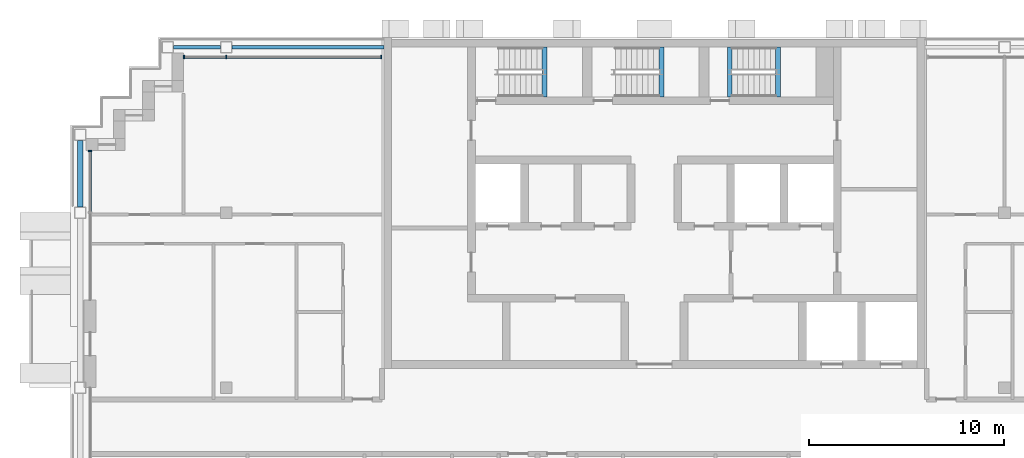
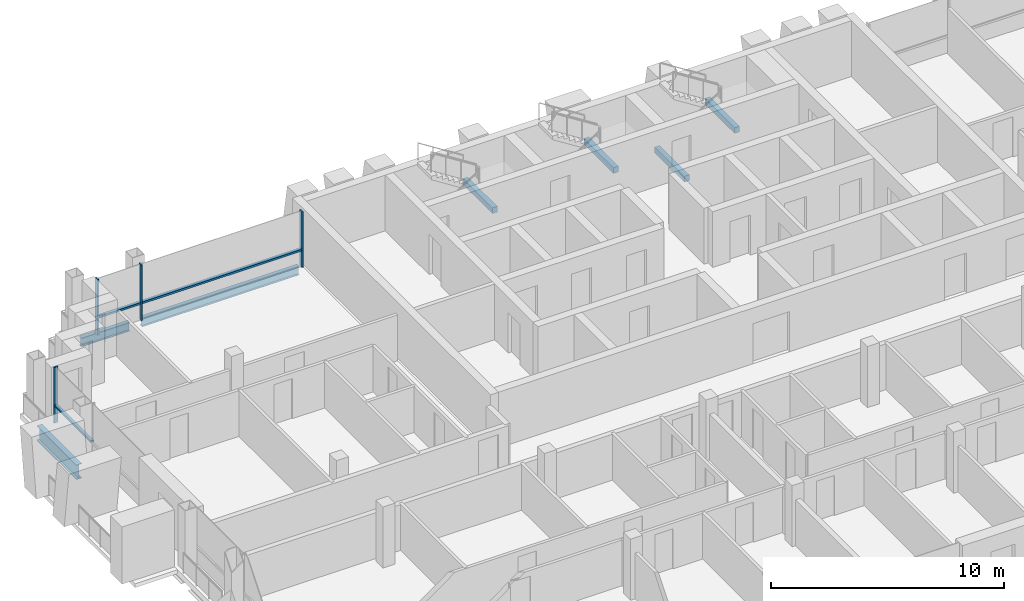
# One storey, part 4 of 16: 7 beams, 7 members, 2 elements without a shape of their own.
"""IFC4 building model written with IfcOpenShell, lengths in metres."""

import ifcopenshell
import ifcopenshell.guid

model = None  # the IFC model being written
_history = None  # IfcOwnerHistory: only IFC2X3 demands one
_inside = {}  # id of a spatial element -> (the spatial element, [elements in it])
_under = {}  # id of a project, library or spatial element -> (it, [spatial elements below it])
_declared = {}  # id of a project -> (the project, [libraries it declares])
_typed = {}  # id of a type object -> (the type object, [elements of that type])
_made_of = {}  # id of a material, layer set ... -> (it, [elements and type objects made of it])


def new_model(schema):
    """Start an empty IFC model of exactly this schema.

    Asked for "IFC4X3", IfcOpenShell would pick the latest addendum, in which some entities
    have other attributes; the version numbers below select the first issue.
    IFC2X3 requires an IfcOwnerHistory on every rooted entity: one is made here for all.
    """
    global model, _history
    if schema == "IFC4X3":
        model = ifcopenshell.file(schema_version=(4, 3, 0, 0))
    else:
        model = ifcopenshell.file(schema=schema)
    _inside.clear()
    _under.clear()
    _declared.clear()
    _typed.clear()
    _made_of.clear()
    _history = None
    if model.schema == "IFC2X3":
        org = make("IfcOrganization", Name="unknown")
        user = make(
            "IfcPersonAndOrganization",
            ThePerson=make("IfcPerson", FamilyName="unknown"),
            TheOrganization=org,
        )
        app = make(
            "IfcApplication",
            ApplicationDeveloper=org,
            Version="unknown",
            ApplicationFullName="unknown",
            ApplicationIdentifier="unknown",
        )
        _history = make(
            "IfcOwnerHistory",
            OwningUser=user,
            OwningApplication=app,
            ChangeAction="ADDED",
            CreationDate=0,
        )
    return model


def make(cls, **values):
    """One entity of the class cls with the attributes given. An attribute that is None is left unset."""
    return model.create_entity(
        cls, **{name: value for name, value in values.items() if value is not None}
    )


def rooted(cls, **values):
    """An entity with a GlobalId (a new one), such as an element, a storey or a relation."""
    return make(cls, GlobalId=ifcopenshell.guid.new(), OwnerHistory=_history, **values)


def si_unit(unit_type, name, prefix=None):
    """IfcSIUnit, for example si_unit("LENGTHUNIT", "METRE", prefix="MILLI")."""
    return make("IfcSIUnit", UnitType=unit_type, Prefix=prefix, Name=name)


def assignment(units):
    """IfcUnitAssignment: the units of a project."""
    return None if units is None else make("IfcUnitAssignment", Units=units)


def point(xyz):
    """IfcCartesianPoint."""
    return None if xyz is None else make("IfcCartesianPoint", Coordinates=xyz)


def direction(xyz):
    """IfcDirection."""
    return None if xyz is None else make("IfcDirection", DirectionRatios=xyz)


def frame(location, z_axis=None, x_axis=None):
    """IfcAxis2Placement3D, a coordinate frame: its origin and axes. An axis left out is left unset."""
    return make(
        "IfcAxis2Placement3D",
        Location=point(location),
        Axis=direction(z_axis),
        RefDirection=direction(x_axis),
    )


def frame_2d(location, x_axis=None):
    """IfcAxis2Placement2D, a coordinate frame in the plane: its origin and x axis."""
    return make(
        "IfcAxis2Placement2D", Location=point(location), RefDirection=direction(x_axis)
    )


def origin():
    """The frame at (0, 0, 0) with its axes left unset."""
    return frame((0.0, 0.0, 0.0))


def origin_2d():
    """The frame at (0, 0) in the plane with its x axis left unset."""
    return frame_2d((0.0, 0.0))


def place(relative_to, where):
    """IfcLocalPlacement: puts the frame where relative to a parent placement (None: the world)."""
    return make(
        "IfcLocalPlacement", PlacementRelTo=relative_to, RelativePlacement=where
    )


def context(
    kind, dimensions, precision=None, world=None, true_north=None, identifier=None
):
    """IfcGeometricRepresentationContext, for example the 3D "Model" context."""
    return make(
        "IfcGeometricRepresentationContext",
        ContextIdentifier=identifier,
        ContextType=kind,
        CoordinateSpaceDimension=dimensions,
        Precision=precision,
        WorldCoordinateSystem=world,
        TrueNorth=true_north,
    )


def subcontext(parent, identifier, kind, view, scale=None):
    """IfcGeometricRepresentationSubContext, for example "Body" below "Model"."""
    return make(
        "IfcGeometricRepresentationSubContext",
        ContextIdentifier=identifier,
        ContextType=kind,
        ParentContext=parent,
        TargetScale=scale,
        TargetView=view,
    )


def project(units=None, contexts=None):
    """IfcProject with its units and contexts."""
    return rooted(
        "IfcProject",
        Name="project",
        RepresentationContexts=contexts,
        UnitsInContext=assignment(units),
    )


def spatial(cls, under=None, at=None, **own):
    """A site, building, storey or space (cls), placed at a placement, below another one or the project."""
    s = rooted(cls, ObjectPlacement=at, **own)
    if under is not None:
        _under.setdefault(under.id(), (under, []))[1].append(s)
    return s


def profile(cls, at=None, kind="AREA", **sizes):
    """A parametric profile (cls). Its sizes go by their IFC names, for example OverallWidth=200.0."""
    return make(cls, ProfileType=kind, Position=at, **sizes)


def rectangle(**sizes):
    """IfcRectangleProfileDef."""
    return profile("IfcRectangleProfileDef", **sizes)


def i_section(**sizes):
    """IfcIShapeProfileDef."""
    return profile("IfcIShapeProfileDef", **sizes)


def extrude(swept, where, along, depth):
    """IfcExtrudedAreaSolid: the profile swept, set in the frame where, extruded along a direction by depth."""
    return make(
        "IfcExtrudedAreaSolid",
        SweptArea=swept,
        Position=where,
        ExtrudedDirection=direction(along),
        Depth=depth,
    )


def shape(context_of_items, identifier, shape_type, items):
    """IfcShapeRepresentation: the items that make up one representation, for example the "Body"."""
    return make(
        "IfcShapeRepresentation",
        ContextOfItems=context_of_items,
        RepresentationIdentifier=identifier,
        RepresentationType=shape_type,
        Items=items,
    )


def material(Name=None, Category=None):
    """IfcMaterial."""
    return make("IfcMaterial", Name=Name, Category=Category)


def material_profile(
    of_material, cross_section, Name=None, Category=None, Priority=None
):
    """IfcMaterialProfile: a cross section and its material."""
    return make(
        "IfcMaterialProfile",
        Name=Name,
        Material=of_material,
        Profile=cross_section,
        Priority=Priority,
        Category=Category,
    )


def profile_set(profiles, Name=None, composite=None):
    """IfcMaterialProfileSet."""
    return make(
        "IfcMaterialProfileSet",
        Name=Name,
        MaterialProfiles=profiles,
        CompositeProfile=composite,
    )


def made_of(thing, what):
    """Note that an element or type object is made of a material, layer set ...; save() writes the relation."""
    if what is not None:
        _made_of.setdefault(what.id(), (what, []))[1].append(thing)
    return thing


def type_object(cls, material=None, **own):
    """A type object (cls), such as IfcWallType, which elements share."""
    return made_of(rooted(cls, **own), material)


def element(
    cls,
    number,
    at=None,
    inside=None,
    cuts=None,
    type_object=None,
    material=None,
    context=None,
    identifier="Body",
    shape_type=None,
    held_by="IfcProductDefinitionShape",
    body=None,
    shapes=None,
    **own,
):
    """One element of the class cls, such as IfcWall. Its Tag is "e" and its number.

    at: its placement. inside: the storey or other place that contains it. cuts: it is an
    opening in that element (IfcRelVoidsElement). A single representation is given by context,
    identifier, shape_type and body (its items); several are given by shapes. held_by: the class
    of the entity that holds the representations. save() writes the other relations.
    """
    e = rooted(cls, Tag="e%d" % number, ObjectPlacement=at, **own)
    if body is not None:
        shapes = [shape(context, identifier, shape_type, body)]
    if shapes is not None:
        e.Representation = make(held_by, Representations=shapes)
    if inside is not None:
        _inside.setdefault(inside.id(), (inside, []))[1].append(e)
    if cuts is not None:
        rooted(
            "IfcRelVoidsElement", RelatingBuildingElement=cuts, RelatedOpeningElement=e
        )
    if type_object is not None:
        _typed.setdefault(type_object.id(), (type_object, []))[1].append(e)
    return made_of(e, material)


def aggregate(whole, parts):
    """IfcRelAggregates: a whole, such as a stair, and the parts it consists of."""
    return rooted("IfcRelAggregates", RelatingObject=whole, RelatedObjects=parts)


def save(model, path):
    """Write the relations noted so far, then the file.

    IfcRelAggregates (storeys below a building ...), IfcRelContainedInSpatialStructure (elements
    in a storey), IfcRelDefinesByType, IfcRelAssociatesMaterial and IfcRelDeclares: one each for
    every whole, place, type object, material and project.
    """
    for whole, parts in _under.values():
        aggregate(whole, parts)
    for where, things in _inside.values():
        rooted(
            "IfcRelContainedInSpatialStructure",
            RelatedElements=things,
            RelatingStructure=where,
        )
    for kind, things in _typed.values():
        rooted("IfcRelDefinesByType", RelatedObjects=things, RelatingType=kind)
    for what, things in _made_of.values():
        rooted("IfcRelAssociatesMaterial", RelatedObjects=things, RelatingMaterial=what)
    for by, libraries in _declared.values():
        rooted("IfcRelDeclares", RelatingContext=by, RelatedDefinitions=libraries)
    model.write(path)


model = new_model("IFC4")

# Units and contexts
model_context = context("Model", 3, precision=1e-05, world=origin(), true_north=direction((0.0, 1.0)))
body_context = subcontext(model_context, "Body", "Model", "MODEL_VIEW")
ifc_project = project(units=[si_unit("LENGTHUNIT", "METRE"), si_unit("AREAUNIT", "SQUARE_METRE"), si_unit("VOLUMEUNIT", "CUBIC_METRE"), si_unit("PLANEANGLEUNIT", "RADIAN"), si_unit("MASSUNIT", "GRAM", prefix="KILO")], contexts=[model_context])

# Site, building, storey
site_placement = place(None, origin())
site = spatial("IfcSite", under=ifc_project, at=site_placement, CompositionType="ELEMENT")
building_placement = place(site_placement, origin())
building = spatial("IfcBuilding", under=site, at=building_placement, Name="Vidyagriha Tower", CompositionType="ELEMENT")
storey_placement = place(building_placement, frame((0.0, 0.0, 230.0)))
storey = spatial("IfcBuildingStorey", under=building, at=storey_placement, Name="L60", CompositionType="ELEMENT", Elevation=230.0)

# Beams
ifc_material_1 = material(Name="Steel ASTM A992 Grade 50", Category="steel")
ifc_material_profile_1 = material_profile(ifc_material_1, i_section(OverallWidth=0.2666015625, OverallDepth=0.76953125, WebThickness=0.015625, FlangeThickness=0.025390625, at=origin_2d()), Name="W30X132")
ifc_profile_set_1 = profile_set([ifc_material_profile_1], Name="Steel ASTM A992 Grade 50")
beam_type_1 = type_object("IfcBeamType", Name="Cantilever edge beam W30X132", PredefinedType="SPANDREL", material=ifc_profile_set_1)
beam_1_placement = place(storey_placement, frame((-29.5, 11.300048828125, -0.664794921875), z_axis=(0.0, 1.0, 0.0), x_axis=(-1.0, 0.0, 0.0)))
element("IfcBeam", 1, at=beam_1_placement, inside=storey, type_object=beam_type_1, Name="st-beam-L60-W12", PredefinedType="SPANDREL", context=body_context, shape_type="SweptSolid", body=[
    extrude(i_section(OverallWidth=0.2666015625, OverallDepth=0.76953125, WebThickness=0.015625, FlangeThickness=0.025390625, at=origin_2d()), origin(), (0.0, 0.0, 1.0), 3.39990234375),
])
ifc_material_2 = material(Name="Steel ASTM A992 Grade 50", Category="steel")
ifc_material_profile_2 = material_profile(ifc_material_2, i_section(OverallWidth=0.19189453125, OverallDepth=0.46240234375, WebThickness=0.010498046875, FlangeThickness=0.017578125, at=origin_2d()), Name="W18X60")
ifc_profile_set_2 = profile_set([ifc_material_profile_2], Name="Steel ASTM A992 Grade 50")
beam_type_2 = type_object("IfcBeamType", Name="Edge beam W18X60", PredefinedType="SPANDREL", material=ifc_profile_set_2)
beam_2_placement = place(storey_placement, frame((-24.699951171875, 19.5, -0.51123046875), z_axis=(1.0, 0.0, 0.0), x_axis=(0.0, 1.0, 0.0)))
element("IfcBeam", 2, at=beam_2_placement, inside=storey, type_object=beam_type_2, Name="st-beam-L60-NW18", PredefinedType="SPANDREL", context=body_context, shape_type="SweptSolid", body=[
    extrude(i_section(OverallWidth=0.19189453125, OverallDepth=0.46240234375, WebThickness=0.010498046875, FlangeThickness=0.017578125, at=origin_2d()), origin(), (0.0, 0.0, 1.0), 2.39990234375),
])
beam_3_placement = place(storey_placement, frame((-21.699951171875, 19.5, -0.51123046875), z_axis=(1.0, 0.0, 0.0), x_axis=(0.0, 1.0, 0.0)))
element("IfcBeam", 3, at=beam_3_placement, inside=storey, type_object=beam_type_2, Name="st-beam-L60-NC20", PredefinedType="SPANDREL", context=body_context, shape_type="SweptSolid", body=[
    extrude(i_section(OverallWidth=0.19189453125, OverallDepth=0.46240234375, WebThickness=0.010498046875, FlangeThickness=0.017578125, at=origin_2d()), origin(), (0.0, 0.0, 1.0), 7.800048828125),
])

# Curtain wall, members
ifc_material_3 = material(Name="Aluminium and glass curtain wall", Category="aluminium")
curtain_wall_type = type_object("IfcCurtainWallType", Name="Dwelling skin unitised curtain wall", PredefinedType="USERDEFINED", material=ifc_material_3)
curtain_wall_1_placement = place(storey_placement, origin())
curtain_wall_1 = element("IfcCurtainWall", 4, at=curtain_wall_1_placement, inside=storey, type_object=curtain_wall_type, Name="CW1 dwelling skin", ObjectType="UNITISED", PredefinedType="USERDEFINED")
ifc_material_4 = material(Name="Aluminium black anodised", Category="aluminium")
ifc_material_profile_3 = material_profile(ifc_material_4, rectangle(XDim=0.199951171875, YDim=0.070068359375, at=origin_2d()), Name="Mullion 70x200 black aluminium")
ifc_profile_set_3 = profile_set([ifc_material_profile_3], Name="Aluminium black anodised")
member_type_1 = type_object("IfcMemberType", Name="Mullion 70x200 black aluminium", PredefinedType="MULLION", material=ifc_profile_set_3)
member_1_placement = place(storey_placement, frame((-14.034912109375, 19.0, 0.0), z_axis=(0.0, 0.0, 1.0), x_axis=(0.0, -1.0, 0.0)))
member_1 = element("IfcMember", 5, at=member_1_placement, type_object=member_type_1, Name="CW1 mullion 1", PredefinedType="MULLION", context=body_context, shape_type="SweptSolid", body=[
    extrude(rectangle(XDim=0.199951171875, YDim=0.070068359375, at=origin_2d()), origin(), (0.0, 0.0, 1.0), 2.919921875),
])
member_2_placement = place(storey_placement, frame((-22.0, 19.0, 0.0), z_axis=(0.0, 0.0, 1.0), x_axis=(0.0, -1.0, 0.0)))
member_2 = element("IfcMember", 6, at=member_2_placement, type_object=member_type_1, Name="CW1 mullion 2", PredefinedType="MULLION", context=body_context, shape_type="SweptSolid", body=[
    extrude(rectangle(XDim=0.199951171875, YDim=0.070068359375, at=origin_2d()), origin(), (0.0, 0.0, 1.0), 2.919921875),
])
member_3_placement = place(storey_placement, frame((-24.1650390625, 19.0, 0.0), z_axis=(0.0, 0.0, 1.0), x_axis=(0.0, -1.0, 0.0)))
member_3 = element("IfcMember", 7, at=member_3_placement, type_object=member_type_1, Name="CW1 mullion 3", PredefinedType="MULLION", context=body_context, shape_type="SweptSolid", body=[
    extrude(rectangle(XDim=0.199951171875, YDim=0.070068359375, at=origin_2d()), origin(), (0.0, 0.0, 1.0), 2.919921875),
])

# Curtain wall, member
curtain_wall_2_placement = place(storey_placement, origin())
curtain_wall_2 = element("IfcCurtainWall", 8, at=curtain_wall_2_placement, inside=storey, type_object=curtain_wall_type, Name="CW1 dwelling skin", ObjectType="UNITISED", PredefinedType="USERDEFINED")
member_4_placement = place(storey_placement, frame((-29.0, 14.1650390625, 0.0)))
member_4 = element("IfcMember", 9, at=member_4_placement, type_object=member_type_1, Name="CW1 mullion 1", PredefinedType="MULLION", context=body_context, shape_type="SweptSolid", body=[
    extrude(rectangle(XDim=0.199951171875, YDim=0.070068359375, at=origin_2d()), origin(), (0.0, 0.0, 1.0), 2.919921875),
])

# Beams
ifc_material_5 = material(Name="Concrete C40/50", Category="concrete")
ifc_material_profile_4 = material_profile(ifc_material_5, rectangle(XDim=0.25, YDim=0.300048828125, at=origin_2d()), Name="Stair landing bearing beam 250x300")
ifc_profile_set_4 = profile_set([ifc_material_profile_4], Name="Concrete C40/50")
beam_type_3 = type_object("IfcBeamType", Name="Stair landing bearing beam 250x300", PredefinedType="BEAM", material=ifc_profile_set_4)
for number, where, z_axis, x_axis, name in (
    (10, (3.875, 16.949951171875, -0.429931640625), (0.0, 1.0, 0.0), (-1.0, 0.0, 0.0), "ST3 floor landing bearing beam L60"),
    (11, (-5.635009765625, 16.949951171875, 1.25), (0.0, 1.0, 0.0), (-1.0, 0.0, 0.0), "ST1 landing bearing beam L60"),
    (12, (0.364990234375, 16.949951171875, 1.25), (0.0, 1.0, 0.0), (-1.0, 0.0, 0.0), "ST2 landing bearing beam L60"),
    (13, (6.364990234375, 16.949951171875, 1.25), (0.0, 1.0, 0.0), (-1.0, 0.0, 0.0), "ST3 landing bearing beam L60"),
):
    element("IfcBeam", number, at=place(storey_placement, frame(where, z_axis=z_axis, x_axis=x_axis)), inside=storey, type_object=beam_type_3, Name=name, PredefinedType="BEAM", context=body_context, shape_type="SweptSolid", body=[
        extrude(rectangle(XDim=0.25, YDim=0.300048828125, at=origin_2d()), origin(), (0.0, 0.0, 1.0), 2.550048828125),
    ])

# Member
ifc_material_6 = material(Name="Aluminium black anodised", Category="aluminium")
ifc_material_profile_5 = material_profile(ifc_material_6, rectangle(XDim=0.159912109375, YDim=0.10009765625, at=origin_2d()), Name="Transom 100x160 black aluminium")
ifc_profile_set_5 = profile_set([ifc_material_profile_5], Name="Aluminium black anodised")
member_type_2 = type_object("IfcMemberType", Name="Transom 100x160 black aluminium", PredefinedType="USERDEFINED", material=ifc_profile_set_5)
member_5_placement = place(storey_placement, frame((-14.070068359375, 19.0, 0.89990234375), z_axis=(-1.0, 0.0, 0.0), x_axis=(0.0, -1.0, 0.0)))
member_5 = element("IfcMember", 14, at=member_5_placement, type_object=member_type_2, Name="CW1 transom 1.1", ObjectType="TRANSOM", PredefinedType="USERDEFINED", context=body_context, shape_type="SweptSolid", body=[
    extrude(rectangle(XDim=0.159912109375, YDim=0.10009765625, at=origin_2d()), origin(), (0.0, 0.0, 1.0), 7.89501953125),
])

member_6_placement = place(storey_placement, frame((-22.034912109375, 19.0, 0.89990234375), z_axis=(-1.0, 0.0, 0.0), x_axis=(0.0, -1.0, 0.0)))
member_6 = element("IfcMember", 15, at=member_6_placement, type_object=member_type_2, Name="CW1 transom 2.1", ObjectType="TRANSOM", PredefinedType="USERDEFINED", context=body_context, shape_type="SweptSolid", body=[
    extrude(rectangle(XDim=0.159912109375, YDim=0.10009765625, at=origin_2d()), origin(), (0.0, 0.0, 1.0), 2.094970703125),
])

aggregate(curtain_wall_1, [member_1, member_2, member_3, member_5, member_6])

member_7_placement = place(storey_placement, frame((-29.0, 14.1298828125, 0.89990234375), z_axis=(0.0, -1.0, 0.0), x_axis=(1.0, 0.0, 0.0)))
member_7 = element("IfcMember", 16, at=member_7_placement, type_object=member_type_2, Name="CW1 transom 1.1", ObjectType="TRANSOM", PredefinedType="USERDEFINED", context=body_context, shape_type="SweptSolid", body=[
    extrude(rectangle(XDim=0.159912109375, YDim=0.10009765625, at=origin_2d()), origin(), (0.0, 0.0, 1.0), 3.094970703125),
])

aggregate(curtain_wall_2, [member_4, member_7])

save(model, "model.ifc")
